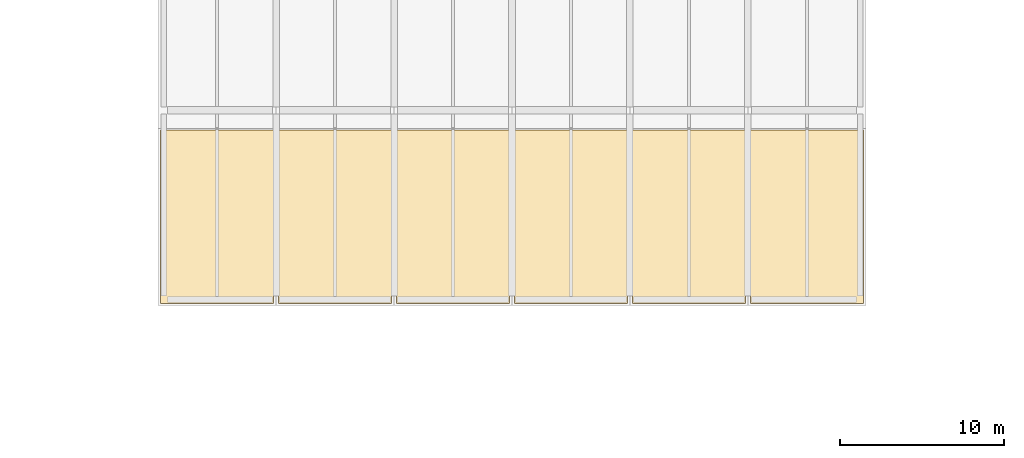
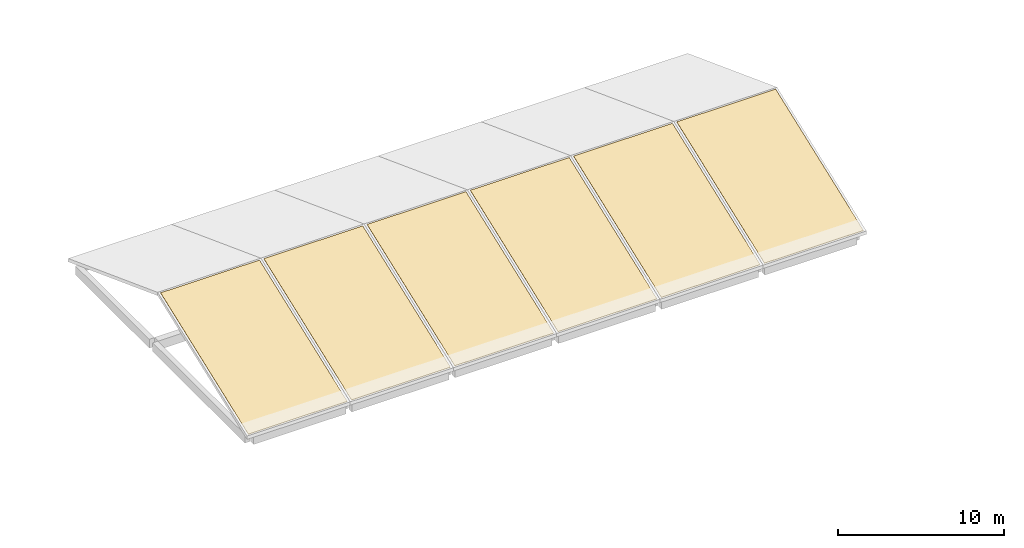
# One storey, part 66 of 73: 6 coverings.
"""IFC4 building model written with IfcOpenShell, lengths in metres."""

import ifcopenshell
import ifcopenshell.guid

model = None  # the IFC model being written
_history = None  # IfcOwnerHistory: only IFC2X3 demands one
_inside = {}  # id of a spatial element -> (the spatial element, [elements in it])
_under = {}  # id of a project, library or spatial element -> (it, [spatial elements below it])
_declared = {}  # id of a project -> (the project, [libraries it declares])
_typed = {}  # id of a type object -> (the type object, [elements of that type])
_made_of = {}  # id of a material, layer set ... -> (it, [elements and type objects made of it])


def new_model(schema):
    """Start an empty IFC model of exactly this schema.

    Asked for "IFC4X3", IfcOpenShell would pick the latest addendum, in which some entities
    have other attributes; the version numbers below select the first issue.
    IFC2X3 requires an IfcOwnerHistory on every rooted entity: one is made here for all.
    """
    global model, _history
    if schema == "IFC4X3":
        model = ifcopenshell.file(schema_version=(4, 3, 0, 0))
    else:
        model = ifcopenshell.file(schema=schema)
    _inside.clear()
    _under.clear()
    _declared.clear()
    _typed.clear()
    _made_of.clear()
    _history = None
    if model.schema == "IFC2X3":
        org = make("IfcOrganization", Name="unknown")
        user = make(
            "IfcPersonAndOrganization",
            ThePerson=make("IfcPerson", FamilyName="unknown"),
            TheOrganization=org,
        )
        app = make(
            "IfcApplication",
            ApplicationDeveloper=org,
            Version="unknown",
            ApplicationFullName="unknown",
            ApplicationIdentifier="unknown",
        )
        _history = make(
            "IfcOwnerHistory",
            OwningUser=user,
            OwningApplication=app,
            ChangeAction="ADDED",
            CreationDate=0,
        )
    return model


def make(cls, **values):
    """One entity of the class cls with the attributes given. An attribute that is None is left unset."""
    return model.create_entity(
        cls, **{name: value for name, value in values.items() if value is not None}
    )


def rooted(cls, **values):
    """An entity with a GlobalId (a new one), such as an element, a storey or a relation."""
    return make(cls, GlobalId=ifcopenshell.guid.new(), OwnerHistory=_history, **values)


def si_unit(unit_type, name, prefix=None):
    """IfcSIUnit, for example si_unit("LENGTHUNIT", "METRE", prefix="MILLI")."""
    return make("IfcSIUnit", UnitType=unit_type, Prefix=prefix, Name=name)


def derived_unit(unit_type, elements):
    """IfcDerivedUnit: a product of units, each with its exponent."""
    return make(
        "IfcDerivedUnit",
        Elements=[
            make("IfcDerivedUnitElement", Unit=unit, Exponent=power)
            for unit, power in elements
        ],
        UnitType=unit_type,
    )


def assignment(units):
    """IfcUnitAssignment: the units of a project."""
    return None if units is None else make("IfcUnitAssignment", Units=units)


def point(xyz):
    """IfcCartesianPoint."""
    return None if xyz is None else make("IfcCartesianPoint", Coordinates=xyz)


def direction(xyz):
    """IfcDirection."""
    return None if xyz is None else make("IfcDirection", DirectionRatios=xyz)


def frame(location, z_axis=None, x_axis=None):
    """IfcAxis2Placement3D, a coordinate frame: its origin and axes. An axis left out is left unset."""
    return make(
        "IfcAxis2Placement3D",
        Location=point(location),
        Axis=direction(z_axis),
        RefDirection=direction(x_axis),
    )


def origin():
    """The frame at (0, 0, 0) with its axes left unset."""
    return frame((0.0, 0.0, 0.0))


def place(relative_to, where):
    """IfcLocalPlacement: puts the frame where relative to a parent placement (None: the world)."""
    return make(
        "IfcLocalPlacement", PlacementRelTo=relative_to, RelativePlacement=where
    )


def context(
    kind, dimensions, precision=None, world=None, true_north=None, identifier=None
):
    """IfcGeometricRepresentationContext, for example the 3D "Model" context."""
    return make(
        "IfcGeometricRepresentationContext",
        ContextIdentifier=identifier,
        ContextType=kind,
        CoordinateSpaceDimension=dimensions,
        Precision=precision,
        WorldCoordinateSystem=world,
        TrueNorth=true_north,
    )


def subcontext(parent, identifier, kind, view, scale=None):
    """IfcGeometricRepresentationSubContext, for example "Body" below "Model"."""
    return make(
        "IfcGeometricRepresentationSubContext",
        ContextIdentifier=identifier,
        ContextType=kind,
        ParentContext=parent,
        TargetScale=scale,
        TargetView=view,
    )


def project(units=None, contexts=None):
    """IfcProject with its units and contexts."""
    return rooted(
        "IfcProject",
        Name="project",
        RepresentationContexts=contexts,
        UnitsInContext=assignment(units),
    )


def spatial(cls, under=None, at=None, **own):
    """A site, building, storey or space (cls), placed at a placement, below another one or the project."""
    s = rooted(cls, ObjectPlacement=at, **own)
    if under is not None:
        _under.setdefault(under.id(), (under, []))[1].append(s)
    return s


def polyline(points):
    """IfcPolyline through the points."""
    return make("IfcPolyline", Points=[point(p) for p in points])


def outline(outer, holes=None, kind="AREA"):
    """IfcArbitraryClosedProfileDef: a profile drawn as a closed curve; with holes, ...WithVoids."""
    if holes is None:
        return make("IfcArbitraryClosedProfileDef", ProfileType=kind, OuterCurve=outer)
    return make(
        "IfcArbitraryProfileDefWithVoids",
        ProfileType=kind,
        OuterCurve=outer,
        InnerCurves=holes,
    )


def extrude(swept, where, along, depth):
    """IfcExtrudedAreaSolid: the profile swept, set in the frame where, extruded along a direction by depth."""
    return make(
        "IfcExtrudedAreaSolid",
        SweptArea=swept,
        Position=where,
        ExtrudedDirection=direction(along),
        Depth=depth,
    )


def shape(context_of_items, identifier, shape_type, items):
    """IfcShapeRepresentation: the items that make up one representation, for example the "Body"."""
    return make(
        "IfcShapeRepresentation",
        ContextOfItems=context_of_items,
        RepresentationIdentifier=identifier,
        RepresentationType=shape_type,
        Items=items,
    )


def material(Name=None, Category=None):
    """IfcMaterial."""
    return make("IfcMaterial", Name=Name, Category=Category)


def layer(
    of_material, thickness, ventilated=None, Name=None, Category=None, Priority=None
):
    """IfcMaterialLayer: one layer of a wall or slab, of a material (None: an air gap)."""
    return make(
        "IfcMaterialLayer",
        Material=of_material,
        LayerThickness=thickness,
        IsVentilated=ventilated,
        Name=Name,
        Category=Category,
        Priority=Priority,
    )


def layer_set(layers, Name=None):
    """IfcMaterialLayerSet."""
    return make("IfcMaterialLayerSet", MaterialLayers=layers, LayerSetName=Name)


def made_of(thing, what):
    """Note that an element or type object is made of a material, layer set ...; save() writes the relation."""
    if what is not None:
        _made_of.setdefault(what.id(), (what, []))[1].append(thing)
    return thing


def type_object(cls, material=None, **own):
    """A type object (cls), such as IfcWallType, which elements share."""
    return made_of(rooted(cls, **own), material)


def element(
    cls,
    number,
    at=None,
    inside=None,
    cuts=None,
    type_object=None,
    material=None,
    context=None,
    identifier="Body",
    shape_type=None,
    held_by="IfcProductDefinitionShape",
    body=None,
    shapes=None,
    **own,
):
    """One element of the class cls, such as IfcWall. Its Tag is "e" and its number.

    at: its placement. inside: the storey or other place that contains it. cuts: it is an
    opening in that element (IfcRelVoidsElement). A single representation is given by context,
    identifier, shape_type and body (its items); several are given by shapes. held_by: the class
    of the entity that holds the representations. save() writes the other relations.
    """
    e = rooted(cls, Tag="e%d" % number, ObjectPlacement=at, **own)
    if body is not None:
        shapes = [shape(context, identifier, shape_type, body)]
    if shapes is not None:
        e.Representation = make(held_by, Representations=shapes)
    if inside is not None:
        _inside.setdefault(inside.id(), (inside, []))[1].append(e)
    if cuts is not None:
        rooted(
            "IfcRelVoidsElement", RelatingBuildingElement=cuts, RelatedOpeningElement=e
        )
    if type_object is not None:
        _typed.setdefault(type_object.id(), (type_object, []))[1].append(e)
    return made_of(e, material)


def aggregate(whole, parts):
    """IfcRelAggregates: a whole, such as a stair, and the parts it consists of."""
    return rooted("IfcRelAggregates", RelatingObject=whole, RelatedObjects=parts)


def save(model, path):
    """Write the relations noted so far, then the file.

    IfcRelAggregates (storeys below a building ...), IfcRelContainedInSpatialStructure (elements
    in a storey), IfcRelDefinesByType, IfcRelAssociatesMaterial and IfcRelDeclares: one each for
    every whole, place, type object, material and project.
    """
    for whole, parts in _under.values():
        aggregate(whole, parts)
    for where, things in _inside.values():
        rooted(
            "IfcRelContainedInSpatialStructure",
            RelatedElements=things,
            RelatingStructure=where,
        )
    for kind, things in _typed.values():
        rooted("IfcRelDefinesByType", RelatedObjects=things, RelatingType=kind)
    for what, things in _made_of.values():
        rooted("IfcRelAssociatesMaterial", RelatedObjects=things, RelatingMaterial=what)
    for by, libraries in _declared.values():
        rooted("IfcRelDeclares", RelatingContext=by, RelatedDefinitions=libraries)
    model.write(path)


model = new_model("IFC4")

# Units and contexts
model_context = context("Model", 3, precision=1e-05, world=origin(), true_north=direction((0.0, 1.0)))
body_context = subcontext(model_context, "Body", "Model", "MODEL_VIEW")
ifc_project = project(units=[si_unit("LENGTHUNIT", "METRE"), si_unit("AREAUNIT", "SQUARE_METRE"), si_unit("VOLUMEUNIT", "CUBIC_METRE"), si_unit("PLANEANGLEUNIT", "RADIAN"), si_unit("MASSUNIT", "GRAM", prefix="KILO"), derived_unit("THERMALTRANSMITTANCEUNIT", [(si_unit("MASSUNIT", "GRAM", prefix="KILO"), 1), (si_unit("TIMEUNIT", "SECOND"), -3), (si_unit("THERMODYNAMICTEMPERATUREUNIT", "KELVIN"), -1)])], contexts=[model_context])

# Site, building, storey
site_placement = place(None, origin())
site = spatial("IfcSite", under=ifc_project, at=site_placement, CompositionType="ELEMENT")
building_placement = place(site_placement, origin())
building = spatial("IfcBuilding", under=site, at=building_placement, Name="Ochrekiln Boulevard Commons", CompositionType="ELEMENT")
storey_placement = place(building_placement, frame((0.0, 0.0, 8.574951171875)))
storey = spatial("IfcBuildingStorey", under=building, at=storey_placement, Name="L02", CompositionType="ELEMENT", Elevation=8.574951171875)

# Coverings
ifc_material = material(Name="Standing-seam pre-weathered zinc roofing", Category="aluminium")
ifc_layer = layer(ifc_material, 0.034912109375)
ifc_layer_set = layer_set([ifc_layer], Name="Standing-seam pre-weathered zinc roofing")
covering_type = type_object("IfcCoveringType", Name="COV-ROOF-ZINC", PredefinedType="ROOFING", material=ifc_layer_set)
for number, where, z_axis, x_axis, name in (
    (1, (64.949951171875, 97.300048828125, 0.03515625), (1.0, 0.0, 0.0), (0.0, 1.0, 0.0), "Nursery Standing-Seam Zinc Roof Covering 1"),
    (2, (72.14990234375, 97.300048828125, 0.03515625), (1.0, 0.0, 0.0), (0.0, 1.0, 0.0), "Nursery Standing-Seam Zinc Roof Covering 2"),
    (3, (79.35009765625, 97.300048828125, 0.03515625), (1.0, 0.0, 0.0), (0.0, 1.0, 0.0), "Nursery Standing-Seam Zinc Roof Covering 3"),
    (4, (86.550048828125, 97.300048828125, 0.03515625), (1.0, 0.0, 0.0), (0.0, 1.0, 0.0), "Nursery Standing-Seam Zinc Roof Covering 4"),
    (5, (93.75, 97.300048828125, 0.03515625), (1.0, 0.0, 0.0), (0.0, 1.0, 0.0), "Nursery Standing-Seam Zinc Roof Covering 5"),
    (6, (100.949951171875, 97.300048828125, 0.03515625), (1.0, 0.0, 0.0), (0.0, 1.0, 0.0), "Nursery Standing-Seam Zinc Roof Covering 6"),
):
    element("IfcCovering", number, at=place(storey_placement, frame(where, z_axis=z_axis, x_axis=x_axis)), inside=storey, type_object=covering_type, Name=name, PredefinedType="ROOFING", context=body_context, shape_type="SweptSolid", body=[
        extrude(outline(polyline([(0.0, 0.0), (10.60009765625, 3.989990234375), (10.60009765625, 3.95263671875), (0.0, -0.037353515625), (0.0, 0.0)])), origin(), (0.0, 0.0, 1.0), 6.89990234375),
    ])

save(model, "model.ifc")
